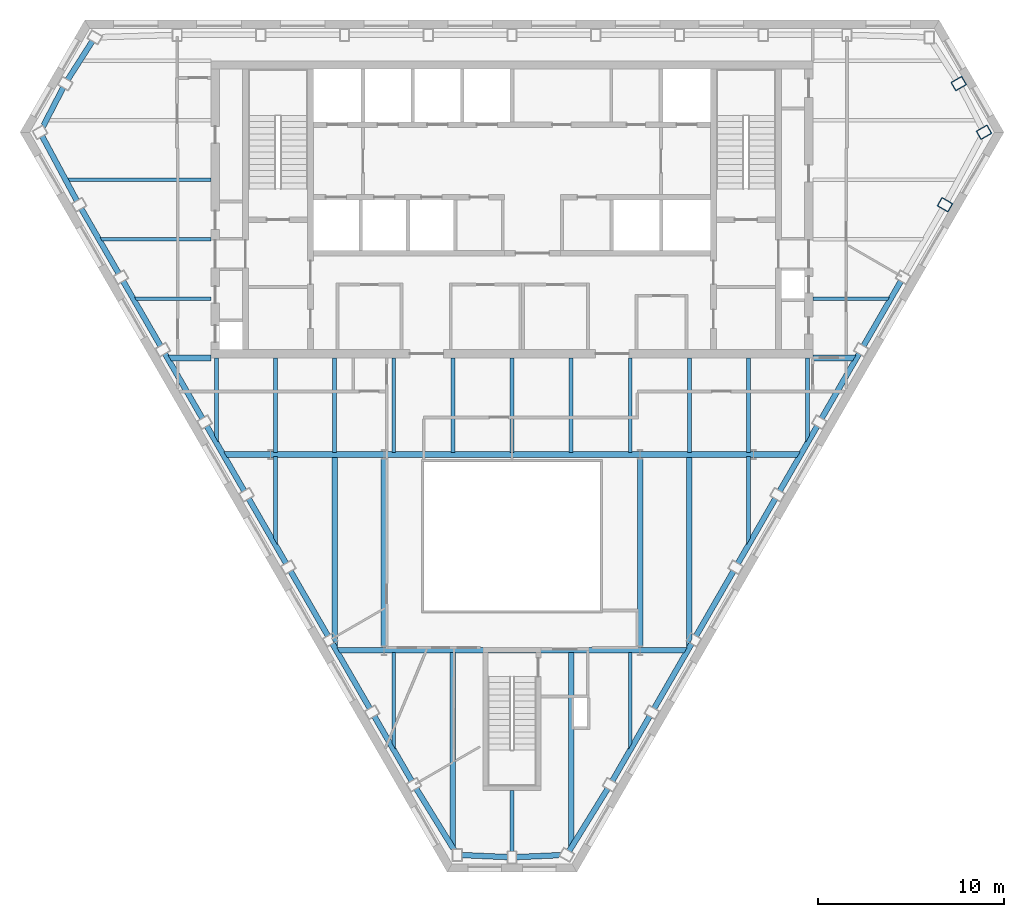
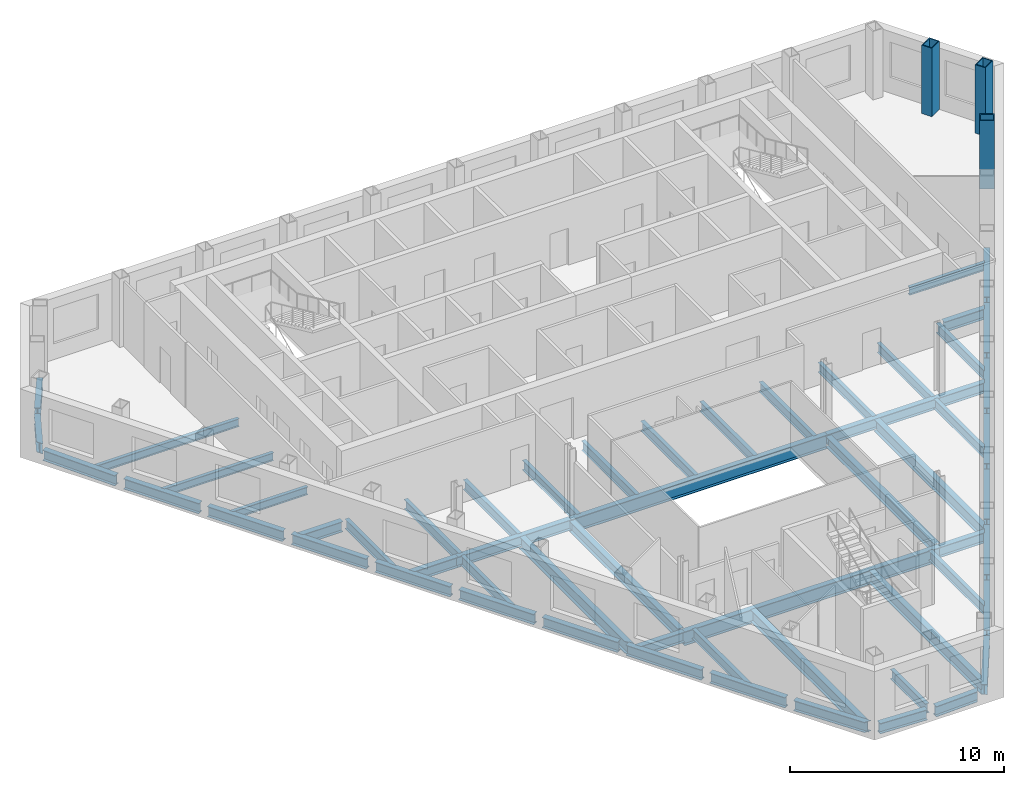
# One storey, part 2 of 11: 58 beams, 3 columns.
"""IFC4 building model written with IfcOpenShell, lengths in metres."""

import ifcopenshell
import ifcopenshell.guid

model = None  # the IFC model being written
_history = None  # IfcOwnerHistory: only IFC2X3 demands one
_inside = {}  # id of a spatial element -> (the spatial element, [elements in it])
_under = {}  # id of a project, library or spatial element -> (it, [spatial elements below it])
_declared = {}  # id of a project -> (the project, [libraries it declares])
_typed = {}  # id of a type object -> (the type object, [elements of that type])
_made_of = {}  # id of a material, layer set ... -> (it, [elements and type objects made of it])


def new_model(schema):
    """Start an empty IFC model of exactly this schema.

    Asked for "IFC4X3", IfcOpenShell would pick the latest addendum, in which some entities
    have other attributes; the version numbers below select the first issue.
    IFC2X3 requires an IfcOwnerHistory on every rooted entity: one is made here for all.
    """
    global model, _history
    if schema == "IFC4X3":
        model = ifcopenshell.file(schema_version=(4, 3, 0, 0))
    else:
        model = ifcopenshell.file(schema=schema)
    _inside.clear()
    _under.clear()
    _declared.clear()
    _typed.clear()
    _made_of.clear()
    _history = None
    if model.schema == "IFC2X3":
        org = make("IfcOrganization", Name="unknown")
        user = make(
            "IfcPersonAndOrganization",
            ThePerson=make("IfcPerson", FamilyName="unknown"),
            TheOrganization=org,
        )
        app = make(
            "IfcApplication",
            ApplicationDeveloper=org,
            Version="unknown",
            ApplicationFullName="unknown",
            ApplicationIdentifier="unknown",
        )
        _history = make(
            "IfcOwnerHistory",
            OwningUser=user,
            OwningApplication=app,
            ChangeAction="ADDED",
            CreationDate=0,
        )
    return model


def make(cls, **values):
    """One entity of the class cls with the attributes given. An attribute that is None is left unset."""
    return model.create_entity(
        cls, **{name: value for name, value in values.items() if value is not None}
    )


def rooted(cls, **values):
    """An entity with a GlobalId (a new one), such as an element, a storey or a relation."""
    return make(cls, GlobalId=ifcopenshell.guid.new(), OwnerHistory=_history, **values)


def si_unit(unit_type, name, prefix=None):
    """IfcSIUnit, for example si_unit("LENGTHUNIT", "METRE", prefix="MILLI")."""
    return make("IfcSIUnit", UnitType=unit_type, Prefix=prefix, Name=name)


def assignment(units):
    """IfcUnitAssignment: the units of a project."""
    return None if units is None else make("IfcUnitAssignment", Units=units)


def point(xyz):
    """IfcCartesianPoint."""
    return None if xyz is None else make("IfcCartesianPoint", Coordinates=xyz)


def direction(xyz):
    """IfcDirection."""
    return None if xyz is None else make("IfcDirection", DirectionRatios=xyz)


def frame(location, z_axis=None, x_axis=None):
    """IfcAxis2Placement3D, a coordinate frame: its origin and axes. An axis left out is left unset."""
    return make(
        "IfcAxis2Placement3D",
        Location=point(location),
        Axis=direction(z_axis),
        RefDirection=direction(x_axis),
    )


def frame_2d(location, x_axis=None):
    """IfcAxis2Placement2D, a coordinate frame in the plane: its origin and x axis."""
    return make(
        "IfcAxis2Placement2D", Location=point(location), RefDirection=direction(x_axis)
    )


def origin():
    """The frame at (0, 0, 0) with its axes left unset."""
    return frame((0.0, 0.0, 0.0))


def origin_2d():
    """The frame at (0, 0) in the plane with its x axis left unset."""
    return frame_2d((0.0, 0.0))


def place(relative_to, where):
    """IfcLocalPlacement: puts the frame where relative to a parent placement (None: the world)."""
    return make(
        "IfcLocalPlacement", PlacementRelTo=relative_to, RelativePlacement=where
    )


def context(
    kind, dimensions, precision=None, world=None, true_north=None, identifier=None
):
    """IfcGeometricRepresentationContext, for example the 3D "Model" context."""
    return make(
        "IfcGeometricRepresentationContext",
        ContextIdentifier=identifier,
        ContextType=kind,
        CoordinateSpaceDimension=dimensions,
        Precision=precision,
        WorldCoordinateSystem=world,
        TrueNorth=true_north,
    )


def subcontext(parent, identifier, kind, view, scale=None):
    """IfcGeometricRepresentationSubContext, for example "Body" below "Model"."""
    return make(
        "IfcGeometricRepresentationSubContext",
        ContextIdentifier=identifier,
        ContextType=kind,
        ParentContext=parent,
        TargetScale=scale,
        TargetView=view,
    )


def project(units=None, contexts=None):
    """IfcProject with its units and contexts."""
    return rooted(
        "IfcProject",
        Name="project",
        RepresentationContexts=contexts,
        UnitsInContext=assignment(units),
    )


def spatial(cls, under=None, at=None, **own):
    """A site, building, storey or space (cls), placed at a placement, below another one or the project."""
    s = rooted(cls, ObjectPlacement=at, **own)
    if under is not None:
        _under.setdefault(under.id(), (under, []))[1].append(s)
    return s


def profile(cls, at=None, kind="AREA", **sizes):
    """A parametric profile (cls). Its sizes go by their IFC names, for example OverallWidth=200.0."""
    return make(cls, ProfileType=kind, Position=at, **sizes)


def hollow_rectangle(**sizes):
    """IfcRectangleHollowProfileDef."""
    return profile("IfcRectangleHollowProfileDef", **sizes)


def i_section(**sizes):
    """IfcIShapeProfileDef."""
    return profile("IfcIShapeProfileDef", **sizes)


def extrude(swept, where, along, depth):
    """IfcExtrudedAreaSolid: the profile swept, set in the frame where, extruded along a direction by depth."""
    return make(
        "IfcExtrudedAreaSolid",
        SweptArea=swept,
        Position=where,
        ExtrudedDirection=direction(along),
        Depth=depth,
    )


def clip(a, b, op="DIFFERENCE"):
    """IfcBooleanClippingResult: the solid a cut by the half space b."""
    return make(
        "IfcBooleanClippingResult", Operator=op, FirstOperand=a, SecondOperand=b
    )


def halfspace(plane, agree):
    """IfcHalfSpaceSolid: all space on one side of the plane z = 0 of the frame plane."""
    return make(
        "IfcHalfSpaceSolid",
        BaseSurface=make("IfcPlane", Position=plane),
        AgreementFlag=agree,
    )


def shape(context_of_items, identifier, shape_type, items):
    """IfcShapeRepresentation: the items that make up one representation, for example the "Body"."""
    return make(
        "IfcShapeRepresentation",
        ContextOfItems=context_of_items,
        RepresentationIdentifier=identifier,
        RepresentationType=shape_type,
        Items=items,
    )


def material(Name=None, Category=None):
    """IfcMaterial."""
    return make("IfcMaterial", Name=Name, Category=Category)


def material_profile(
    of_material, cross_section, Name=None, Category=None, Priority=None
):
    """IfcMaterialProfile: a cross section and its material."""
    return make(
        "IfcMaterialProfile",
        Name=Name,
        Material=of_material,
        Profile=cross_section,
        Priority=Priority,
        Category=Category,
    )


def profile_set(profiles, Name=None, composite=None):
    """IfcMaterialProfileSet."""
    return make(
        "IfcMaterialProfileSet",
        Name=Name,
        MaterialProfiles=profiles,
        CompositeProfile=composite,
    )


def made_of(thing, what):
    """Note that an element or type object is made of a material, layer set ...; save() writes the relation."""
    if what is not None:
        _made_of.setdefault(what.id(), (what, []))[1].append(thing)
    return thing


def type_object(cls, material=None, **own):
    """A type object (cls), such as IfcWallType, which elements share."""
    return made_of(rooted(cls, **own), material)


def element(
    cls,
    number,
    at=None,
    inside=None,
    cuts=None,
    type_object=None,
    material=None,
    context=None,
    identifier="Body",
    shape_type=None,
    held_by="IfcProductDefinitionShape",
    body=None,
    shapes=None,
    **own,
):
    """One element of the class cls, such as IfcWall. Its Tag is "e" and its number.

    at: its placement. inside: the storey or other place that contains it. cuts: it is an
    opening in that element (IfcRelVoidsElement). A single representation is given by context,
    identifier, shape_type and body (its items); several are given by shapes. held_by: the class
    of the entity that holds the representations. save() writes the other relations.
    """
    e = rooted(cls, Tag="e%d" % number, ObjectPlacement=at, **own)
    if body is not None:
        shapes = [shape(context, identifier, shape_type, body)]
    if shapes is not None:
        e.Representation = make(held_by, Representations=shapes)
    if inside is not None:
        _inside.setdefault(inside.id(), (inside, []))[1].append(e)
    if cuts is not None:
        rooted(
            "IfcRelVoidsElement", RelatingBuildingElement=cuts, RelatedOpeningElement=e
        )
    if type_object is not None:
        _typed.setdefault(type_object.id(), (type_object, []))[1].append(e)
    return made_of(e, material)


def aggregate(whole, parts):
    """IfcRelAggregates: a whole, such as a stair, and the parts it consists of."""
    return rooted("IfcRelAggregates", RelatingObject=whole, RelatedObjects=parts)


def save(model, path):
    """Write the relations noted so far, then the file.

    IfcRelAggregates (storeys below a building ...), IfcRelContainedInSpatialStructure (elements
    in a storey), IfcRelDefinesByType, IfcRelAssociatesMaterial and IfcRelDeclares: one each for
    every whole, place, type object, material and project.
    """
    for whole, parts in _under.values():
        aggregate(whole, parts)
    for where, things in _inside.values():
        rooted(
            "IfcRelContainedInSpatialStructure",
            RelatedElements=things,
            RelatingStructure=where,
        )
    for kind, things in _typed.values():
        rooted("IfcRelDefinesByType", RelatedObjects=things, RelatingType=kind)
    for what, things in _made_of.values():
        rooted("IfcRelAssociatesMaterial", RelatedObjects=things, RelatingMaterial=what)
    for by, libraries in _declared.values():
        rooted("IfcRelDeclares", RelatingContext=by, RelatedDefinitions=libraries)
    model.write(path)


model = new_model("IFC4")

# Units and contexts
model_context = context("Model", 3, precision=1e-05, world=origin(), true_north=direction((0.0, 1.0)))
body_context = subcontext(model_context, "Body", "Model", "MODEL_VIEW")
ifc_project = project(units=[si_unit("LENGTHUNIT", "METRE"), si_unit("AREAUNIT", "SQUARE_METRE"), si_unit("VOLUMEUNIT", "CUBIC_METRE"), si_unit("PLANEANGLEUNIT", "RADIAN"), si_unit("MASSUNIT", "GRAM", prefix="KILO")], contexts=[model_context])

# Site, building, storey
site_placement = place(None, origin())
site = spatial("IfcSite", under=ifc_project, at=site_placement, CompositionType="ELEMENT")
building_placement = place(site_placement, origin())
building = spatial("IfcBuilding", under=site, at=building_placement, Name="Njiva Tower", CompositionType="ELEMENT")
storey_placement = place(building_placement, frame((0.0, 0.0, 219.9)))
storey = spatial("IfcBuildingStorey", under=building, at=storey_placement, Name="L49", CompositionType="ELEMENT", Elevation=219.9)

# Columns
ifc_material = material(Name="Steel S355 J2", Category="steel")
ifc_material_profile_1 = material_profile(ifc_material, hollow_rectangle(XDim=0.55, YDim=0.7, WallThickness=0.05, at=origin_2d()), Name="BOX 700x550x50")
ifc_profile_set_1 = profile_set([ifc_material_profile_1], Name="Steel S355 J2")
column_type = type_object("IfcColumnType", Name="C11 Perimeter tube column BOX 700x550x50", PredefinedType="COLUMN", material=ifc_profile_set_1)
for number, where, z_axis, x_axis, name in (
    (1, (23.317, 10.251, 0.0), (0.0, 0.0, 1.0), (0.5, 0.866025403784, 0.0), "Perimeter tube column S16-C34"),
    (2, (25.418, 14.155, 0.0), (0.0, 0.0, 1.0), (-0.5, 0.866025403784, 0.0), "Perimeter tube column S16-C35"),
    (3, (24.057, 16.778, 0.0), (0.0, 0.0, 1.0), (-0.5, 0.866025403784, 0.0), "Perimeter tube column S16-C36"),
):
    element("IfcColumn", number, at=place(storey_placement, frame(where, z_axis=z_axis, x_axis=x_axis)), inside=storey, type_object=column_type, Name=name, PredefinedType="COLUMN", context=body_context, shape_type="SweptSolid", body=[
        extrude(hollow_rectangle(XDim=0.55, YDim=0.7, WallThickness=0.05, at=origin_2d()), origin(), (0.0, 0.0, 1.0), 3.9),
    ])

# Beams
ifc_material_profile_2 = material_profile(ifc_material, i_section(OverallWidth=0.3, OverallDepth=0.69, WebThickness=0.0145, FlangeThickness=0.027, at=origin_2d()), Name="HEA 700")
ifc_profile_set_2 = profile_set([ifc_material_profile_2], Name="Steel S355 J2")
beam_type_1 = type_object("IfcBeamType", Name="B12 Long-span floor joist HEA 700", PredefinedType="JOIST", material=ifc_profile_set_2)
beam_1_placement = place(storey_placement, frame((-9.55, -3.3, -0.545), z_axis=(0.0, -1.0, 0.0), x_axis=(1.0, 0.0, 0.0)))
element("IfcBeam", 4, at=beam_1_placement, inside=storey, type_object=beam_type_1, Name="Long-span floor joist S16-B051", PredefinedType="JOIST", context=body_context, shape_type="Clipping", body=[
    clip(extrude(i_section(OverallWidth=0.3, OverallDepth=0.69, WebThickness=0.0145, FlangeThickness=0.027, at=origin_2d()), origin(), (0.0, 0.0, 1.0), 10.296), halfspace(frame((-0.0433, 0.0, 10.0195), z_axis=(-0.866026552831, 0.0, 0.499998009787), x_axis=(0.0, 1.0, 0.0)), False)),
])
beam_2_placement = place(storey_placement, frame((-3.183, -13.85, -0.545), z_axis=(0.0, -1.0, 0.0), x_axis=(1.0, 0.0, 0.0)))
element("IfcBeam", 5, at=beam_2_placement, inside=storey, type_object=beam_type_1, Name="Long-span floor joist S16-B055", PredefinedType="JOIST", context=body_context, shape_type="Clipping", body=[
    clip(extrude(i_section(OverallWidth=0.3, OverallDepth=0.69, WebThickness=0.0145, FlangeThickness=0.027, at=origin_2d()), origin(), (0.0, 0.0, 1.0), 10.532), halfspace(frame((-0.0429, 0.0, 10.2731), z_axis=(-0.850624900762, 0.0, 0.525773029171), x_axis=(0.0, 1.0, 0.0)), False)),
])
beam_3_placement = place(storey_placement, frame((3.183, -13.85, -0.545), z_axis=(0.0, -1.0, 0.0), x_axis=(1.0, 0.0, 0.0)))
element("IfcBeam", 6, at=beam_3_placement, inside=storey, type_object=beam_type_1, Name="Long-span floor joist S16-B060", PredefinedType="JOIST", context=body_context, shape_type="Clipping", body=[
    clip(extrude(i_section(OverallWidth=0.3, OverallDepth=0.69, WebThickness=0.0145, FlangeThickness=0.027, at=origin_2d()), origin(), (0.0, 0.0, 1.0), 10.532), halfspace(frame((0.0429, 0.0, 10.2731), z_axis=(0.850624900762, 0.0, 0.525773029171), x_axis=(0.0, 1.0, 0.0)), False)),
])
beam_4_placement = place(storey_placement, frame((9.55, -3.3, -0.545), z_axis=(0.0, -1.0, 0.0), x_axis=(1.0, 0.0, 0.0)))
element("IfcBeam", 7, at=beam_4_placement, inside=storey, type_object=beam_type_1, Name="Long-span floor joist S16-B064", PredefinedType="JOIST", context=body_context, shape_type="Clipping", body=[
    clip(extrude(i_section(OverallWidth=0.3, OverallDepth=0.69, WebThickness=0.0145, FlangeThickness=0.027, at=origin_2d()), origin(), (0.0, 0.0, 1.0), 10.296), halfspace(frame((0.0433, 0.0, 10.0195), z_axis=(0.866026552831, 0.0, 0.499998009787), x_axis=(0.0, 1.0, 0.0)), False)),
])
ifc_material_profile_3 = material_profile(ifc_material, i_section(OverallWidth=0.3, OverallDepth=0.59, WebThickness=0.013, FlangeThickness=0.025, at=origin_2d()), Name="HEA 600")
ifc_profile_set_3 = profile_set([ifc_material_profile_3], Name="Steel S355 J2")
beam_type_2 = type_object("IfcBeamType", Name="B27 Short-span spandrel beam HEA 600", PredefinedType="SPANDREL", material=ifc_profile_set_3)
beam_5_placement = place(storey_placement, frame((-22.591, 19.072, -0.495), z_axis=(-0.538381357522, -0.842701319492, 0.0), x_axis=(0.842701319492, -0.538381357522, 0.0)))
element("IfcBeam", 8, at=beam_5_placement, inside=storey, type_object=beam_type_2, Name="Short-span spandrel beam S16-B080", PredefinedType="SPANDREL", context=body_context, shape_type="SweptSolid", body=[
    extrude(i_section(OverallWidth=0.3, OverallDepth=0.59, WebThickness=0.013, FlangeThickness=0.025, at=origin_2d()), origin(), (0.0, 0.0, 1.0), 2.4908),
])
beam_6_placement = place(storey_placement, frame((-24.163, 16.573, -0.495), z_axis=(-0.460674555914, -0.887569126059, 0.0), x_axis=(0.887569126059, -0.460674555914, 0.0)))
element("IfcBeam", 9, at=beam_6_placement, inside=storey, type_object=beam_type_2, Name="Short-span spandrel beam S16-B077", PredefinedType="SPANDREL", context=body_context, shape_type="Clipping", body=[
    clip(extrude(i_section(OverallWidth=0.3, OverallDepth=0.59, WebThickness=0.013, FlangeThickness=0.025, at=origin_2d()), origin(), (0.0, 0.0, 1.0), 2.4843), halfspace(frame((-0.0266, 0.0, 2.3512), z_axis=(-0.538322069524, 0.0, 0.842739194213), x_axis=(0.0, 1.0, 0.0)), False)),
])
beam_7_placement = place(storey_placement, frame((-25.309, 13.954, -0.495), z_axis=(0.473574818702, -0.880753592721, 0.0), x_axis=(0.880753592721, 0.473574818702, 0.0)))
element("IfcBeam", 10, at=beam_7_placement, inside=storey, type_object=beam_type_2, Name="Short-span spandrel beam S16-B076", PredefinedType="SPANDREL", context=body_context, shape_type="SweptSolid", body=[
    extrude(i_section(OverallWidth=0.3, OverallDepth=0.59, WebThickness=0.013, FlangeThickness=0.025, at=origin_2d()), origin(), (0.0, 0.0, 1.0), 3.9761),
])
beam_8_placement = place(storey_placement, frame((-23.205, 10.056, -0.495), z_axis=(0.500113408832, -0.865959917263, 0.0), x_axis=(0.865959917263, 0.500113408832, 0.0)))
element("IfcBeam", 11, at=beam_8_placement, inside=storey, type_object=beam_type_2, Name="Short-span spandrel beam S16-B081", PredefinedType="SPANDREL", context=body_context, shape_type="SweptSolid", body=[
    extrude(i_section(OverallWidth=0.3, OverallDepth=0.59, WebThickness=0.013, FlangeThickness=0.025, at=origin_2d()), origin(), (0.0, 0.0, 1.0), 4.0591),
])
beam_9_placement = place(storey_placement, frame((-20.95, 6.151, -0.495), z_axis=(0.499928631667, -0.86606660439, 0.0), x_axis=(0.86606660439, 0.499928631667, 0.0)))
element("IfcBeam", 12, at=beam_9_placement, inside=storey, type_object=beam_type_2, Name="Short-span spandrel beam S16-B084", PredefinedType="SPANDREL", context=body_context, shape_type="SweptSolid", body=[
    extrude(i_section(OverallWidth=0.3, OverallDepth=0.59, WebThickness=0.013, FlangeThickness=0.025, at=origin_2d()), origin(), (0.0, 0.0, 1.0), 4.0586),
])
beam_10_placement = place(storey_placement, frame((-18.696, 2.246, -0.495), z_axis=(0.500035331196, -0.866005004348, 0.0), x_axis=(0.866005004348, 0.500035331196, 0.0)))
element("IfcBeam", 13, at=beam_10_placement, inside=storey, type_object=beam_type_2, Name="Short-span spandrel beam S16-B086", PredefinedType="SPANDREL", context=body_context, shape_type="SweptSolid", body=[
    extrude(i_section(OverallWidth=0.3, OverallDepth=0.59, WebThickness=0.013, FlangeThickness=0.025, at=origin_2d()), origin(), (0.0, 0.0, 1.0), 4.0577),
])
beam_11_placement = place(storey_placement, frame((-16.442, -1.658, -0.495), z_axis=(0.500113408832, -0.865959917263, 0.0), x_axis=(0.865959917263, 0.500113408832, 0.0)))
element("IfcBeam", 14, at=beam_11_placement, inside=storey, type_object=beam_type_2, Name="Short-span spandrel beam S16-B089", PredefinedType="SPANDREL", context=body_context, shape_type="SweptSolid", body=[
    extrude(i_section(OverallWidth=0.3, OverallDepth=0.59, WebThickness=0.013, FlangeThickness=0.025, at=origin_2d()), origin(), (0.0, 0.0, 1.0), 4.0591),
])
beam_12_placement = place(storey_placement, frame((-14.187, -5.563, -0.495), z_axis=(0.500035331196, -0.866005004348, 0.0), x_axis=(0.866005004348, 0.500035331196, 0.0)))
element("IfcBeam", 15, at=beam_12_placement, inside=storey, type_object=beam_type_2, Name="Short-span spandrel beam S16-B091", PredefinedType="SPANDREL", context=body_context, shape_type="SweptSolid", body=[
    extrude(i_section(OverallWidth=0.3, OverallDepth=0.59, WebThickness=0.013, FlangeThickness=0.025, at=origin_2d()), origin(), (0.0, 0.0, 1.0), 4.0577),
])
beam_13_placement = place(storey_placement, frame((-11.933, -9.467, -0.495), z_axis=(0.499928631667, -0.86606660439, 0.0), x_axis=(0.86606660439, 0.499928631667, 0.0)))
element("IfcBeam", 16, at=beam_13_placement, inside=storey, type_object=beam_type_2, Name="Short-span spandrel beam S16-B094", PredefinedType="SPANDREL", context=body_context, shape_type="SweptSolid", body=[
    extrude(i_section(OverallWidth=0.3, OverallDepth=0.59, WebThickness=0.013, FlangeThickness=0.025, at=origin_2d()), origin(), (0.0, 0.0, 1.0), 4.0586),
])
beam_14_placement = place(storey_placement, frame((-9.679, -13.372, -0.495), z_axis=(0.500113408832, -0.865959917263, 0.0), x_axis=(0.865959917263, 0.500113408832, 0.0)))
element("IfcBeam", 17, at=beam_14_placement, inside=storey, type_object=beam_type_2, Name="Short-span spandrel beam S16-B096", PredefinedType="SPANDREL", context=body_context, shape_type="SweptSolid", body=[
    extrude(i_section(OverallWidth=0.3, OverallDepth=0.59, WebThickness=0.013, FlangeThickness=0.025, at=origin_2d()), origin(), (0.0, 0.0, 1.0), 4.0591),
])
beam_15_placement = place(storey_placement, frame((-7.424, -17.277, -0.495), z_axis=(0.500035331196, -0.866005004348, 0.0), x_axis=(0.866005004348, 0.500035331196, 0.0)))
element("IfcBeam", 18, at=beam_15_placement, inside=storey, type_object=beam_type_2, Name="Short-span spandrel beam S16-B099", PredefinedType="SPANDREL", context=body_context, shape_type="SweptSolid", body=[
    extrude(i_section(OverallWidth=0.3, OverallDepth=0.59, WebThickness=0.013, FlangeThickness=0.025, at=origin_2d()), origin(), (0.0, 0.0, 1.0), 4.0577),
])
beam_16_placement = place(storey_placement, frame((-5.162, -21.181, -0.495), z_axis=(0.525863069855, -0.85056923984, 0.0), x_axis=(0.85056923984, 0.525863069855, 0.0)))
element("IfcBeam", 19, at=beam_16_placement, inside=storey, type_object=beam_type_2, Name="Short-span spandrel beam S16-B101", PredefinedType="SPANDREL", context=body_context, shape_type="Clipping", body=[
    clip(extrude(i_section(OverallWidth=0.3, OverallDepth=0.59, WebThickness=0.013, FlangeThickness=0.025, at=origin_2d()), origin(), (0.0, 0.0, 1.0), 3.9657), halfspace(frame((-0.0266, 0.0, 3.8363), z_axis=(-0.525863069855, 0.0, 0.85056923984), x_axis=(0.0, 1.0, 0.0)), False)),
])
beam_17_placement = place(storey_placement, frame((-2.72, -24.768, -0.495), z_axis=(0.998989125266, -0.044952503829, 0.0), x_axis=(0.044952503829, 0.998989125266, 0.0)))
element("IfcBeam", 20, at=beam_17_placement, inside=storey, type_object=beam_type_2, Name="Short-span spandrel beam S16-B105", PredefinedType="SPANDREL", context=body_context, shape_type="SweptSolid", body=[
    extrude(i_section(OverallWidth=0.3, OverallDepth=0.59, WebThickness=0.013, FlangeThickness=0.025, at=origin_2d()), origin(), (0.0, 0.0, 1.0), 2.4915),
])
beam_18_placement = place(storey_placement, frame((0.231, -24.88, -0.495), z_axis=(0.998997081323, 0.044775344871, 0.0), x_axis=(-0.044775344871, 0.998997081323, 0.0)))
element("IfcBeam", 21, at=beam_18_placement, inside=storey, type_object=beam_type_2, Name="Short-span spandrel beam S16-B107", PredefinedType="SPANDREL", context=body_context, shape_type="Clipping", body=[
    clip(extrude(i_section(OverallWidth=0.3, OverallDepth=0.59, WebThickness=0.013, FlangeThickness=0.025, at=origin_2d()), origin(), (0.0, 0.0, 1.0), 2.4834), halfspace(frame((-0.0265, 0.0, 2.3498), z_axis=(-0.538273190015, 0.0, 0.842770415304), x_axis=(0.0, 1.0, 0.0)), False)),
])
beam_19_placement = place(storey_placement, frame((3.071, -24.563, -0.495), z_axis=(0.525878338639, 0.85055979975, 0.0), x_axis=(-0.85055979975, 0.525878338639, 0.0)))
element("IfcBeam", 22, at=beam_19_placement, inside=storey, type_object=beam_type_2, Name="Short-span spandrel beam S16-B110", PredefinedType="SPANDREL", context=body_context, shape_type="SweptSolid", body=[
    extrude(i_section(OverallWidth=0.3, OverallDepth=0.59, WebThickness=0.013, FlangeThickness=0.025, at=origin_2d()), origin(), (0.0, 0.0, 1.0), 3.9762),
])
beam_20_placement = place(storey_placement, frame((5.395, -20.791, -0.495), z_axis=(0.500035331196, 0.866005004348, 0.0), x_axis=(-0.866005004348, 0.500035331196, 0.0)))
element("IfcBeam", 23, at=beam_20_placement, inside=storey, type_object=beam_type_2, Name="Short-span spandrel beam S16-B113", PredefinedType="SPANDREL", context=body_context, shape_type="SweptSolid", body=[
    extrude(i_section(OverallWidth=0.3, OverallDepth=0.59, WebThickness=0.013, FlangeThickness=0.025, at=origin_2d()), origin(), (0.0, 0.0, 1.0), 4.0577),
])
beam_21_placement = place(storey_placement, frame((7.649, -16.887, -0.495), z_axis=(0.500113408832, 0.865959917263, 0.0), x_axis=(-0.865959917263, 0.500113408832, 0.0)))
element("IfcBeam", 24, at=beam_21_placement, inside=storey, type_object=beam_type_2, Name="Short-span spandrel beam S16-B115", PredefinedType="SPANDREL", context=body_context, shape_type="SweptSolid", body=[
    extrude(i_section(OverallWidth=0.3, OverallDepth=0.59, WebThickness=0.013, FlangeThickness=0.025, at=origin_2d()), origin(), (0.0, 0.0, 1.0), 4.0591),
])
beam_22_placement = place(storey_placement, frame((9.904, -12.982, -0.495), z_axis=(0.499928631667, 0.86606660439, 0.0), x_axis=(-0.86606660439, 0.499928631667, 0.0)))
element("IfcBeam", 25, at=beam_22_placement, inside=storey, type_object=beam_type_2, Name="Short-span spandrel beam S16-B118", PredefinedType="SPANDREL", context=body_context, shape_type="SweptSolid", body=[
    extrude(i_section(OverallWidth=0.3, OverallDepth=0.59, WebThickness=0.013, FlangeThickness=0.025, at=origin_2d()), origin(), (0.0, 0.0, 1.0), 4.0586),
])
beam_23_placement = place(storey_placement, frame((12.158, -9.077, -0.495), z_axis=(0.500035331196, 0.866005004348, 0.0), x_axis=(-0.866005004348, 0.500035331196, 0.0)))
element("IfcBeam", 26, at=beam_23_placement, inside=storey, type_object=beam_type_2, Name="Short-span spandrel beam S16-B120", PredefinedType="SPANDREL", context=body_context, shape_type="SweptSolid", body=[
    extrude(i_section(OverallWidth=0.3, OverallDepth=0.59, WebThickness=0.013, FlangeThickness=0.025, at=origin_2d()), origin(), (0.0, 0.0, 1.0), 4.0577),
])
beam_24_placement = place(storey_placement, frame((14.412, -5.173, -0.495), z_axis=(0.500113408832, 0.865959917263, 0.0), x_axis=(-0.865959917263, 0.500113408832, 0.0)))
element("IfcBeam", 27, at=beam_24_placement, inside=storey, type_object=beam_type_2, Name="Short-span spandrel beam S16-B123", PredefinedType="SPANDREL", context=body_context, shape_type="SweptSolid", body=[
    extrude(i_section(OverallWidth=0.3, OverallDepth=0.59, WebThickness=0.013, FlangeThickness=0.025, at=origin_2d()), origin(), (0.0, 0.0, 1.0), 4.0591),
])
beam_25_placement = place(storey_placement, frame((16.667, -1.268, -0.495), z_axis=(0.500035331196, 0.866005004348, 0.0), x_axis=(-0.866005004348, 0.500035331196, 0.0)))
element("IfcBeam", 28, at=beam_25_placement, inside=storey, type_object=beam_type_2, Name="Short-span spandrel beam S16-B125", PredefinedType="SPANDREL", context=body_context, shape_type="SweptSolid", body=[
    extrude(i_section(OverallWidth=0.3, OverallDepth=0.59, WebThickness=0.013, FlangeThickness=0.025, at=origin_2d()), origin(), (0.0, 0.0, 1.0), 4.0577),
])
beam_26_placement = place(storey_placement, frame((18.921, 2.636, -0.495), z_axis=(0.499928631667, 0.86606660439, 0.0), x_axis=(-0.86606660439, 0.499928631667, 0.0)))
element("IfcBeam", 29, at=beam_26_placement, inside=storey, type_object=beam_type_2, Name="Short-span spandrel beam S16-B129", PredefinedType="SPANDREL", context=body_context, shape_type="SweptSolid", body=[
    extrude(i_section(OverallWidth=0.3, OverallDepth=0.59, WebThickness=0.013, FlangeThickness=0.025, at=origin_2d()), origin(), (0.0, 0.0, 1.0), 4.0586),
])
ifc_material_profile_4 = material_profile(ifc_material, i_section(OverallWidth=0.3, OverallDepth=0.59, WebThickness=0.013, FlangeThickness=0.025, at=origin_2d()), Name="HEA 600")
ifc_profile_set_4 = profile_set([ifc_material_profile_4], Name="Steel S355 J2")
beam_type_3 = type_object("IfcBeamType", Name="B28 Floor girder HEA 600", PredefinedType="BEAM", material=ifc_profile_set_4)
for number, where, z_axis, x_axis, name in (
    (30, (-13.0, -3.2, -0.495), (1.0, 0.0, 0.0), (0.0, 1.0, 0.0), "Floor girder S16-B013"),
    (31, (6.9, -3.2, -0.495), (1.0, 0.0, 0.0), (0.0, 1.0, 0.0), "Floor girder S16-B016"),
):
    element("IfcBeam", number, at=place(storey_placement, frame(where, z_axis=z_axis, x_axis=x_axis)), inside=storey, type_object=beam_type_3, Name=name, PredefinedType="BEAM", context=body_context, shape_type="SweptSolid", body=[
        extrude(i_section(OverallWidth=0.3, OverallDepth=0.59, WebThickness=0.013, FlangeThickness=0.025, at=origin_2d()), origin(), (0.0, 0.0, 1.0), 6.1),
    ])
ifc_material_profile_5 = material_profile(ifc_material, i_section(OverallWidth=0.3, OverallDepth=0.59, WebThickness=0.013, FlangeThickness=0.025, at=origin_2d()), Name="HEA 600")
ifc_profile_set_5 = profile_set([ifc_material_profile_5], Name="Steel S355 J2")
beam_type_4 = type_object("IfcBeamType", Name="B29 Short-span floor girder HEA 600", PredefinedType="BEAM", material=ifc_profile_set_5)
beam_27_placement = place(storey_placement, frame((-15.543, -3.2, -0.495), z_axis=(1.0, 0.0, 0.0), x_axis=(0.0, 1.0, 0.0)))
element("IfcBeam", 32, at=beam_27_placement, inside=storey, type_object=beam_type_4, Name="Short-span floor girder S16-B012", PredefinedType="BEAM", context=body_context, shape_type="Clipping", body=[
    clip(extrude(i_section(OverallWidth=0.3, OverallDepth=0.59, WebThickness=0.013, FlangeThickness=0.025, at=origin_2d()), origin(), (0.0, 0.0, 1.0), 2.543), halfspace(frame((-0.025, 0.0, 0.1217), z_axis=(-0.499998009787, 0.0, -0.866026552831), x_axis=(0.0, -1.0, 0.0)), False)),
])
beam_28_placement = place(storey_placement, frame((13.0, -3.2, -0.495), z_axis=(1.0, 0.0, 0.0), x_axis=(0.0, 1.0, 0.0)))
element("IfcBeam", 33, at=beam_28_placement, inside=storey, type_object=beam_type_4, Name="Short-span floor girder S16-B017", PredefinedType="BEAM", context=body_context, shape_type="Clipping", body=[
    clip(extrude(i_section(OverallWidth=0.3, OverallDepth=0.59, WebThickness=0.013, FlangeThickness=0.025, at=origin_2d()), origin(), (0.0, 0.0, 1.0), 2.543), halfspace(frame((-0.025, 0.0, 2.4213), z_axis=(-0.499998009787, 0.0, 0.866026552831), x_axis=(0.0, 1.0, 0.0)), False)),
])
beam_29_placement = place(storey_placement, frame((-9.452, -13.75, -0.495), z_axis=(1.0, 0.0, 0.0), x_axis=(0.0, 1.0, 0.0)))
element("IfcBeam", 34, at=beam_29_placement, inside=storey, type_object=beam_type_4, Name="Short-span floor girder S16-B014", PredefinedType="BEAM", context=body_context, shape_type="Clipping", body=[
    clip(extrude(i_section(OverallWidth=0.3, OverallDepth=0.59, WebThickness=0.013, FlangeThickness=0.025, at=origin_2d()), origin(), (0.0, 0.0, 1.0), 2.552), halfspace(frame((-0.025, 0.0, 0.1217), z_axis=(-0.499998009787, 0.0, -0.866026552831), x_axis=(0.0, -1.0, 0.0)), False)),
])
beam_30_placement = place(storey_placement, frame((6.9, -13.75, -0.495), z_axis=(1.0, 0.0, 0.0), x_axis=(0.0, 1.0, 0.0)))
element("IfcBeam", 35, at=beam_30_placement, inside=storey, type_object=beam_type_4, Name="Short-span floor girder S16-B015", PredefinedType="BEAM", context=body_context, shape_type="Clipping", body=[
    clip(extrude(i_section(OverallWidth=0.3, OverallDepth=0.59, WebThickness=0.013, FlangeThickness=0.025, at=origin_2d()), origin(), (0.0, 0.0, 1.0), 2.552), halfspace(frame((-0.025, 0.0, 2.4303), z_axis=(-0.499998009787, 0.0, 0.866026552831), x_axis=(0.0, 1.0, 0.0)), False)),
])
beam_31_placement = place(storey_placement, frame((-18.545, 2.0, -0.495), z_axis=(1.0, 0.0, 0.0), x_axis=(0.0, 1.0, 0.0)))
element("IfcBeam", 36, at=beam_31_placement, inside=storey, type_object=beam_type_4, Name="Short-span floor girder S16-B011", PredefinedType="BEAM", context=body_context, shape_type="Clipping", body=[
    clip(extrude(i_section(OverallWidth=0.3, OverallDepth=0.59, WebThickness=0.013, FlangeThickness=0.025, at=origin_2d()), origin(), (0.0, 0.0, 1.0), 2.345), halfspace(frame((-0.025, 0.0, 0.1214), z_axis=(-0.499998009787, 0.0, -0.866026552831), x_axis=(0.0, -1.0, 0.0)), False)),
])
beam_32_placement = place(storey_placement, frame((16.2, 2.0, -0.495), z_axis=(1.0, 0.0, 0.0), x_axis=(0.0, 1.0, 0.0)))
element("IfcBeam", 37, at=beam_32_placement, inside=storey, type_object=beam_type_4, Name="Short-span floor girder S16-B018", PredefinedType="BEAM", context=body_context, shape_type="Clipping", body=[
    clip(extrude(i_section(OverallWidth=0.3, OverallDepth=0.59, WebThickness=0.013, FlangeThickness=0.025, at=origin_2d()), origin(), (0.0, 0.0, 1.0), 2.345), halfspace(frame((-0.025, 0.0, 2.2236), z_axis=(-0.499998009787, 0.0, 0.866026552831), x_axis=(0.0, 1.0, 0.0)), False)),
])
ifc_material_profile_6 = material_profile(ifc_material, i_section(OverallWidth=0.3, OverallDepth=0.59, WebThickness=0.013, FlangeThickness=0.025, at=origin_2d()), Name="HEA 600")
ifc_profile_set_6 = profile_set([ifc_material_profile_6], Name="Steel S355 J2")
beam_type_5 = type_object("IfcBeamType", Name="B30 Long-span atrium trimmer beam HEA 600", PredefinedType="BEAM", material=ifc_profile_set_6)
for number, where, z_axis, x_axis, name in (
    (38, (6.9, -13.538, -0.495), (0.0, 1.0, 0.0), (-1.0, 0.0, 0.0), "Long-span atrium trimmer beam S16-B074"),
    (39, (-6.9, -3.412, -0.495), (0.0, -1.0, 0.0), (1.0, 0.0, 0.0), "Long-span atrium trimmer beam S16-B071"),
):
    element("IfcBeam", number, at=place(storey_placement, frame(where, z_axis=z_axis, x_axis=x_axis)), inside=storey, type_object=beam_type_5, Name=name, PredefinedType="BEAM", context=body_context, shape_type="SweptSolid", body=[
        extrude(i_section(OverallWidth=0.3, OverallDepth=0.59, WebThickness=0.013, FlangeThickness=0.025, at=origin_2d()), origin(), (0.0, 0.0, 1.0), 10.126),
    ])
ifc_material_profile_7 = material_profile(ifc_material, i_section(OverallWidth=0.21, OverallDepth=0.55, WebThickness=0.0111, FlangeThickness=0.0172, at=origin_2d()), Name="IPE 550")
ifc_profile_set_7 = profile_set([ifc_material_profile_7], Name="Steel S355 J2")
beam_type_6 = type_object("IfcBeamType", Name="B31 Short-span floor joist IPE 550", PredefinedType="JOIST", material=ifc_profile_set_7)
beam_33_placement = place(storey_placement, frame((-15.917, 1.995, -0.475), z_axis=(0.0, -1.0, 0.0), x_axis=(1.0, 0.0, 0.0)))
element("IfcBeam", 40, at=beam_33_placement, inside=storey, type_object=beam_type_6, Name="Short-span floor joist S16-B048", PredefinedType="JOIST", context=body_context, shape_type="Clipping", body=[
    clip(extrude(i_section(OverallWidth=0.21, OverallDepth=0.55, WebThickness=0.0111, FlangeThickness=0.0172, at=origin_2d()), origin(), (0.0, 0.0, 1.0), 4.564), halfspace(frame((-0.043, 0.0, 4.2871), z_axis=(-0.866026552831, 0.0, 0.499998009787), x_axis=(0.0, 1.0, 0.0)), False)),
])
beam_34_placement = place(storey_placement, frame((0.0, -21.3, -0.475), z_axis=(0.0, -1.0, 0.0), x_axis=(1.0, 0.0, 0.0)))
element("IfcBeam", 41, at=beam_34_placement, inside=storey, type_object=beam_type_6, Name="Short-span floor joist S16-B058", PredefinedType="JOIST", context=body_context, shape_type="SweptSolid", body=[
    extrude(i_section(OverallWidth=0.21, OverallDepth=0.55, WebThickness=0.0111, FlangeThickness=0.0172, at=origin_2d()), origin(), (0.0, 0.0, 1.0), 3.291),
])
beam_35_placement = place(storey_placement, frame((15.917, 1.995, -0.475), z_axis=(0.0, -1.0, 0.0), x_axis=(1.0, 0.0, 0.0)))
element("IfcBeam", 42, at=beam_35_placement, inside=storey, type_object=beam_type_6, Name="Short-span floor joist S16-B068", PredefinedType="JOIST", context=body_context, shape_type="Clipping", body=[
    clip(extrude(i_section(OverallWidth=0.21, OverallDepth=0.55, WebThickness=0.0111, FlangeThickness=0.0172, at=origin_2d()), origin(), (0.0, 0.0, 1.0), 4.564), halfspace(frame((0.043, 0.0, 4.2871), z_axis=(0.866026552831, 0.0, 0.499998009787), x_axis=(0.0, 1.0, 0.0)), False)),
])
ifc_material_profile_8 = material_profile(ifc_material, i_section(OverallWidth=0.21, OverallDepth=0.55, WebThickness=0.0111, FlangeThickness=0.0172, at=origin_2d()), Name="IPE 550")
ifc_profile_set_8 = profile_set([ifc_material_profile_8], Name="Steel S355 J2")
beam_type_7 = type_object("IfcBeamType", Name="B32 Floor joist IPE 550", PredefinedType="JOIST", material=ifc_profile_set_8)
beam_36_placement = place(storey_placement, frame((-12.733, 1.995, -0.475), z_axis=(0.0, -1.0, 0.0), x_axis=(1.0, 0.0, 0.0)))
element("IfcBeam", 43, at=beam_36_placement, inside=storey, type_object=beam_type_7, Name="Floor joist S16-B050", PredefinedType="JOIST", context=body_context, shape_type="SweptSolid", body=[
    extrude(i_section(OverallWidth=0.21, OverallDepth=0.55, WebThickness=0.0111, FlangeThickness=0.0172, at=origin_2d()), origin(), (0.0, 0.0, 1.0), 5.095),
])
beam_37_placement = place(storey_placement, frame((-12.733, -3.3, -0.475), z_axis=(0.0, -1.0, 0.0), x_axis=(1.0, 0.0, 0.0)))
element("IfcBeam", 44, at=beam_37_placement, inside=storey, type_object=beam_type_7, Name="Floor joist S16-B049", PredefinedType="JOIST", context=body_context, shape_type="Clipping", body=[
    clip(extrude(i_section(OverallWidth=0.21, OverallDepth=0.55, WebThickness=0.0111, FlangeThickness=0.0172, at=origin_2d()), origin(), (0.0, 0.0, 1.0), 4.783), halfspace(frame((-0.0436, 0.0, 4.5058), z_axis=(-0.866026552831, 0.0, 0.499998009787), x_axis=(0.0, 1.0, 0.0)), False)),
])
for number, where, z_axis, x_axis, name in (
    (45, (-9.55, 1.995, -0.475), (0.0, -1.0, 0.0), (1.0, 0.0, 0.0), "Floor joist S16-B052"),
    (46, (-6.367, 1.995, -0.475), (0.0, -1.0, 0.0), (1.0, 0.0, 0.0), "Floor joist S16-B054"),
):
    element("IfcBeam", number, at=place(storey_placement, frame(where, z_axis=z_axis, x_axis=x_axis)), inside=storey, type_object=beam_type_7, Name=name, PredefinedType="JOIST", context=body_context, shape_type="SweptSolid", body=[
        extrude(i_section(OverallWidth=0.21, OverallDepth=0.55, WebThickness=0.0111, FlangeThickness=0.0172, at=origin_2d()), origin(), (0.0, 0.0, 1.0), 5.095),
    ])
beam_38_placement = place(storey_placement, frame((-6.367, -13.85, -0.475), z_axis=(0.0, -1.0, 0.0), x_axis=(1.0, 0.0, 0.0)))
element("IfcBeam", 47, at=beam_38_placement, inside=storey, type_object=beam_type_7, Name="Floor joist S16-B053", PredefinedType="JOIST", context=body_context, shape_type="Clipping", body=[
    clip(extrude(i_section(OverallWidth=0.21, OverallDepth=0.55, WebThickness=0.0111, FlangeThickness=0.0172, at=origin_2d()), origin(), (0.0, 0.0, 1.0), 5.26), halfspace(frame((-0.043, 0.0, 4.9832), z_axis=(-0.866026552831, 0.0, 0.499998009787), x_axis=(0.0, 1.0, 0.0)), False)),
])
for number, where, z_axis, x_axis, name in (
    (48, (-3.183, 1.995, -0.475), (0.0, -1.0, 0.0), (1.0, 0.0, 0.0), "Floor joist S16-B056"),
    (49, (0.0, 1.995, -0.475), (0.0, -1.0, 0.0), (1.0, 0.0, 0.0), "Floor joist S16-B059"),
    (50, (3.183, 1.995, -0.475), (0.0, -1.0, 0.0), (1.0, 0.0, 0.0), "Floor joist S16-B061"),
    (51, (6.367, 1.995, -0.475), (0.0, -1.0, 0.0), (1.0, 0.0, 0.0), "Floor joist S16-B063"),
):
    element("IfcBeam", number, at=place(storey_placement, frame(where, z_axis=z_axis, x_axis=x_axis)), inside=storey, type_object=beam_type_7, Name=name, PredefinedType="JOIST", context=body_context, shape_type="SweptSolid", body=[
        extrude(i_section(OverallWidth=0.21, OverallDepth=0.55, WebThickness=0.0111, FlangeThickness=0.0172, at=origin_2d()), origin(), (0.0, 0.0, 1.0), 5.095),
    ])
beam_39_placement = place(storey_placement, frame((6.367, -13.85, -0.475), z_axis=(0.0, -1.0, 0.0), x_axis=(1.0, 0.0, 0.0)))
element("IfcBeam", 52, at=beam_39_placement, inside=storey, type_object=beam_type_7, Name="Floor joist S16-B062", PredefinedType="JOIST", context=body_context, shape_type="Clipping", body=[
    clip(extrude(i_section(OverallWidth=0.21, OverallDepth=0.55, WebThickness=0.0111, FlangeThickness=0.0172, at=origin_2d()), origin(), (0.0, 0.0, 1.0), 5.26), halfspace(frame((0.043, 0.0, 4.9832), z_axis=(0.866026552831, 0.0, 0.499998009787), x_axis=(0.0, 1.0, 0.0)), False)),
])
for number, where, z_axis, x_axis, name in (
    (53, (9.55, 1.995, -0.475), (0.0, -1.0, 0.0), (1.0, 0.0, 0.0), "Floor joist S16-B065"),
    (54, (12.733, 1.995, -0.475), (0.0, -1.0, 0.0), (1.0, 0.0, 0.0), "Floor joist S16-B067"),
):
    element("IfcBeam", number, at=place(storey_placement, frame(where, z_axis=z_axis, x_axis=x_axis)), inside=storey, type_object=beam_type_7, Name=name, PredefinedType="JOIST", context=body_context, shape_type="SweptSolid", body=[
        extrude(i_section(OverallWidth=0.21, OverallDepth=0.55, WebThickness=0.0111, FlangeThickness=0.0172, at=origin_2d()), origin(), (0.0, 0.0, 1.0), 5.095),
    ])
beam_40_placement = place(storey_placement, frame((12.733, -3.3, -0.475), z_axis=(0.0, -1.0, 0.0), x_axis=(1.0, 0.0, 0.0)))
element("IfcBeam", 55, at=beam_40_placement, inside=storey, type_object=beam_type_7, Name="Floor joist S16-B066", PredefinedType="JOIST", context=body_context, shape_type="Clipping", body=[
    clip(extrude(i_section(OverallWidth=0.21, OverallDepth=0.55, WebThickness=0.0111, FlangeThickness=0.0172, at=origin_2d()), origin(), (0.0, 0.0, 1.0), 4.783), halfspace(frame((0.0436, 0.0, 4.5058), z_axis=(0.866026552831, 0.0, 0.499998009787), x_axis=(0.0, 1.0, 0.0)), False)),
])
ifc_material_profile_9 = material_profile(ifc_material, i_section(OverallWidth=0.19, OverallDepth=0.45, WebThickness=0.0094, FlangeThickness=0.0146, at=origin_2d()), Name="IPE 450")
ifc_profile_set_9 = profile_set([ifc_material_profile_9], Name="Steel S355 J2")
beam_type_8 = type_object("IfcBeamType", Name="B37 Floor beam to the core IPE 450", PredefinedType="BEAM", material=ifc_profile_set_9)
beam_41_placement = place(storey_placement, frame((-22.208, 8.4, -0.425), z_axis=(1.0, 0.0, 0.0), x_axis=(0.0, 1.0, 0.0)))
element("IfcBeam", 56, at=beam_41_placement, inside=storey, type_object=beam_type_8, Name="Floor beam to the core S16-B004", PredefinedType="BEAM", context=body_context, shape_type="Clipping", body=[
    clip(extrude(i_section(OverallWidth=0.19, OverallDepth=0.45, WebThickness=0.0094, FlangeThickness=0.0146, at=origin_2d()), origin(), (0.0, 0.0, 1.0), 6.008), halfspace(frame((-0.025, 0.0, 0.0894), z_axis=(-0.499998009787, 0.0, -0.866026552831), x_axis=(0.0, -1.0, 0.0)), False)),
])
beam_42_placement = place(storey_placement, frame((-24.0, 11.6, -0.425), z_axis=(1.0, 0.0, 0.0), x_axis=(0.0, 1.0, 0.0)))
element("IfcBeam", 57, at=beam_42_placement, inside=storey, type_object=beam_type_8, Name="Floor beam to the core S16-B002", PredefinedType="BEAM", context=body_context, shape_type="Clipping", body=[
    clip(extrude(i_section(OverallWidth=0.19, OverallDepth=0.45, WebThickness=0.0094, FlangeThickness=0.0146, at=origin_2d()), origin(), (0.0, 0.0, 1.0), 7.8), halfspace(frame((-0.0237, 0.0, 0.0834), z_axis=(-0.473777178452, 0.0, -0.88064475538), x_axis=(0.0, -1.0, 0.0)), False)),
])
ifc_material_profile_10 = material_profile(ifc_material, i_section(OverallWidth=0.19, OverallDepth=0.45, WebThickness=0.0094, FlangeThickness=0.0146, at=origin_2d()), Name="IPE 450")
ifc_profile_set_10 = profile_set([ifc_material_profile_10], Name="Steel S355 J2")
beam_type_9 = type_object("IfcBeamType", Name="B38 Short-span floor beam to the core IPE 450", PredefinedType="BEAM", material=ifc_profile_set_10)
beam_43_placement = place(storey_placement, frame((-20.361, 5.2, -0.425), z_axis=(1.0, 0.0, 0.0), x_axis=(0.0, 1.0, 0.0)))
element("IfcBeam", 58, at=beam_43_placement, inside=storey, type_object=beam_type_9, Name="Short-span floor beam to the core S16-B005", PredefinedType="BEAM", context=body_context, shape_type="Clipping", body=[
    clip(extrude(i_section(OverallWidth=0.19, OverallDepth=0.45, WebThickness=0.0094, FlangeThickness=0.0146, at=origin_2d()), origin(), (0.0, 0.0, 1.0), 4.161), halfspace(frame((-0.025, 0.0, 0.0899), z_axis=(-0.499998009787, 0.0, -0.866026552831), x_axis=(0.0, -1.0, 0.0)), False)),
])
beam_44_placement = place(storey_placement, frame((16.2, 5.2, -0.425), z_axis=(1.0, 0.0, 0.0), x_axis=(0.0, 1.0, 0.0)))
element("IfcBeam", 59, at=beam_44_placement, inside=storey, type_object=beam_type_9, Name="Short-span floor beam to the core S16-B006", PredefinedType="BEAM", context=body_context, shape_type="Clipping", body=[
    clip(extrude(i_section(OverallWidth=0.19, OverallDepth=0.45, WebThickness=0.0094, FlangeThickness=0.0146, at=origin_2d()), origin(), (0.0, 0.0, 1.0), 4.161), halfspace(frame((-0.025, 0.0, 4.0711), z_axis=(-0.499998009787, 0.0, 0.866026552831), x_axis=(0.0, 1.0, 0.0)), False)),
])
ifc_material_profile_11 = material_profile(ifc_material, i_section(OverallWidth=0.3, OverallDepth=0.79, WebThickness=0.015, FlangeThickness=0.028, at=origin_2d()), Name="HEA 800")
ifc_profile_set_11 = profile_set([ifc_material_profile_11], Name="Steel S355 J2")
beam_type_10 = type_object("IfcBeamType", Name="B9 Long-span atrium trimmer beam HEA 800", PredefinedType="BEAM", material=ifc_profile_set_11)
for number, where, z_axis, x_axis, name in (
    (60, (-6.9, -13.75, -0.595), (1.0, 0.0, 0.0), (0.0, 1.0, 0.0), "Long-span atrium trimmer beam S16-B070"),
    (61, (6.9, -3.2, -0.595), (-1.0, 0.0, 0.0), (0.0, -1.0, 0.0), "Long-span atrium trimmer beam S16-B072"),
):
    element("IfcBeam", number, at=place(storey_placement, frame(where, z_axis=z_axis, x_axis=x_axis)), inside=storey, type_object=beam_type_10, Name=name, PredefinedType="BEAM", context=body_context, shape_type="SweptSolid", body=[
        extrude(i_section(OverallWidth=0.3, OverallDepth=0.79, WebThickness=0.015, FlangeThickness=0.028, at=origin_2d()), origin(), (0.0, 0.0, 1.0), 13.8),
    ])

save(model, "model.ifc")
